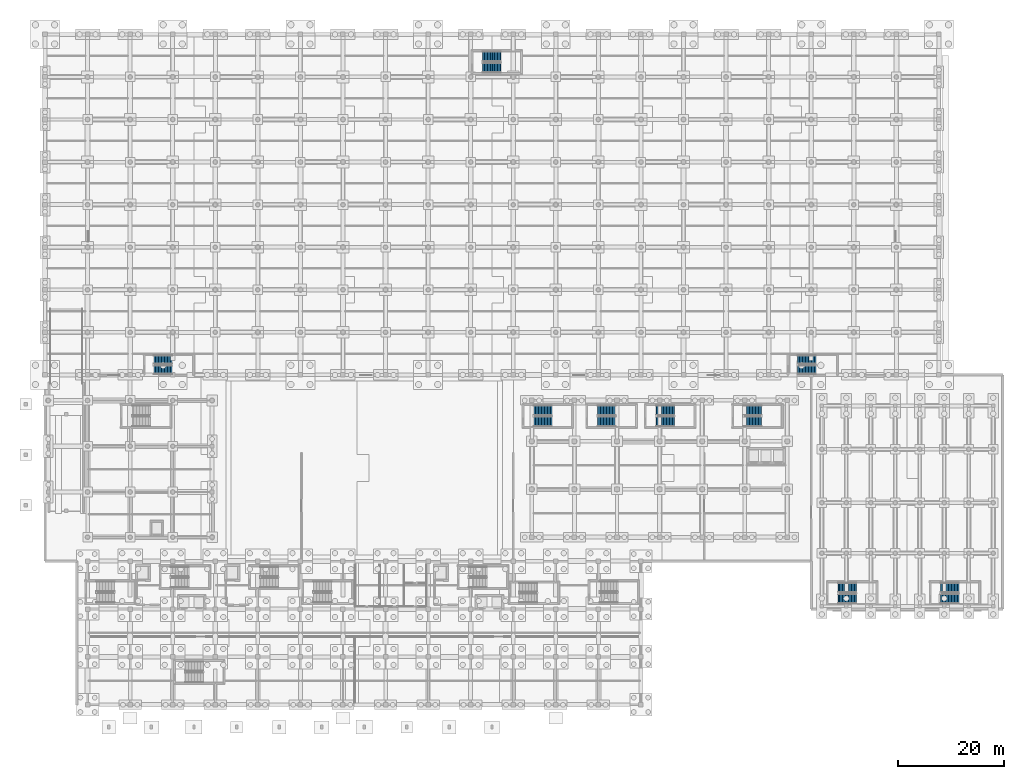
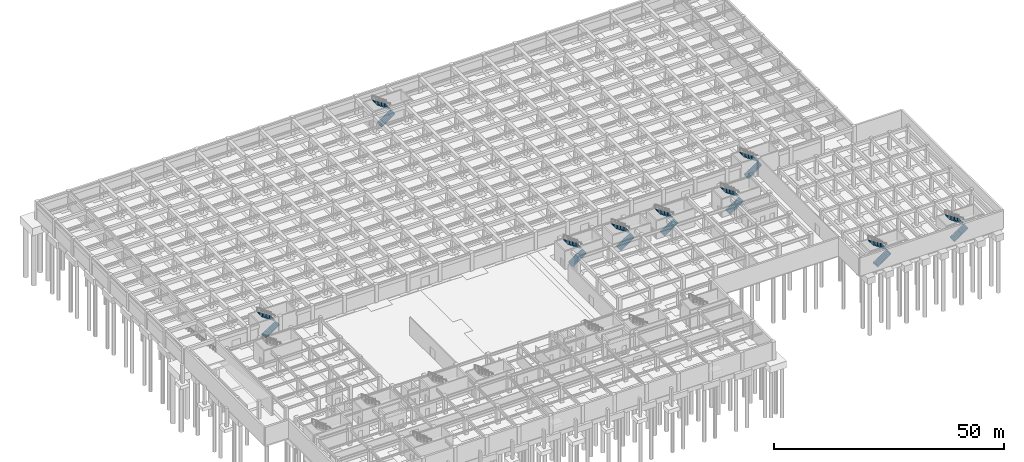
# One storey, part 38 of 48: 18 stair flights, 9 elements without a shape of their own.
"""IFC4 building model written with IfcOpenShell, lengths in metres."""

from ifc_helpers import new_model, si_unit, direction, frame, origin, place, context, subcontext, project, spatial, polyline, outline, extrude, material, type_object, element, aggregate, save


model = new_model("IFC4")

# Units and contexts
model_context = context("Model", 3, precision=1e-05, world=origin(), true_north=direction((0.0, 1.0)))
body_context = subcontext(model_context, "Body", "Model", "MODEL_VIEW")
ifc_project = project(units=[si_unit("LENGTHUNIT", "METRE"), si_unit("AREAUNIT", "SQUARE_METRE"), si_unit("VOLUMEUNIT", "CUBIC_METRE"), si_unit("PLANEANGLEUNIT", "RADIAN"), si_unit("MASSUNIT", "GRAM", prefix="KILO")], contexts=[model_context])

# Site, building, storey
site_placement = place(None, origin())
site = spatial("IfcSite", under=ifc_project, at=site_placement, CompositionType="ELEMENT")
building_placement = place(site_placement, origin())
building = spatial("IfcBuilding", under=site, at=building_placement, Name="Tlacozan Convention Centre", CompositionType="ELEMENT")
storey_placement = place(building_placement, frame((0.0, 0.0, -4.800048828125)))
storey = spatial("IfcBuildingStorey", under=building, at=storey_placement, Name="B01", CompositionType="ELEMENT", Elevation=-4.800048828125)

# Stair, stair flights
ifc_material = material(Name="Concrete C40/50", Category="concrete")
stair_type_1 = type_object("IfcStairType", Name="Protected Dogleg Stair W170 H48", PredefinedType="HALF_TURN_STAIR", material=ifc_material)
stair_1_placement = place(storey_placement, origin())
stair_1 = element("IfcStair", 1, at=stair_1_placement, inside=storey, type_object=stair_type_1, Name="B01 Exhibition West Stair", PredefinedType="HALF_TURN_STAIR")
stair_flight_type_1 = type_object("IfcStairFlightType", Name="Concrete Stair Flight W170 H48", PredefinedType="STRAIGHT", material=ifc_material)
stair_flight_1_placement = place(storey_placement, frame((20.5, 62.949951171875, 0.0), z_axis=(0.0, 0.0, 1.0), x_axis=(1.0, 0.0, 0.0)))
stair_flight_1 = element("IfcStairFlight", 2, at=stair_flight_1_placement, type_object=stair_flight_type_1, Name="ST-10 flight 1", NumberOfRisers=13, NumberOfTreads=12, PredefinedType="STRAIGHT", RiserHeight=0.184615385, TreadLength=0.28, context=body_context, shape_type="SweptSolid", body=[
    extrude(outline(polyline([(-0.044921875, -0.14990234375), (-0.044921875, 0.0), (0.0, 0.0), (0.0, 0.1845703125), (0.280029296875, 0.1845703125), (0.280029296875, 0.369140625), (0.56005859375, 0.369140625), (0.56005859375, 0.553955078125), (0.840087890625, 0.553955078125), (0.840087890625, 0.738525390625), (1.1201171875, 0.738525390625), (1.1201171875, 0.923095703125), (1.39990234375, 0.923095703125), (1.39990234375, 1.107666015625), (1.679931640625, 1.107666015625), (1.679931640625, 1.292236328125), (1.9599609375, 1.292236328125), (1.9599609375, 1.476806640625), (2.239990234375, 1.476806640625), (2.239990234375, 1.66162109375), (2.52001953125, 1.66162109375), (2.52001953125, 1.84619140625), (2.800048828125, 1.84619140625), (2.800048828125, 2.03076171875), (3.080078125, 2.03076171875), (3.080078125, 2.21533203125), (3.360107421875, 2.21533203125), (3.360107421875, 2.39990234375), (3.405029296875, 2.39990234375), (3.405029296875, 2.25), (3.360107421875, 2.035888671875), (0.272216796875, -0.14990234375), (-0.044921875, -0.14990234375)])), frame((0.0, 0.85009765625, 0.0), z_axis=(0.0, -1.0, 0.0), x_axis=(1.0, 0.0, 0.0)), (0.0, 0.0, 1.0), 1.699951171875),
])
stair_flight_2_placement = place(storey_placement, frame((23.860107421875, 64.85009765625, 2.400146484375), z_axis=(0.0, 0.0, 1.0), x_axis=(-1.0, 0.0, 0.0)))
stair_flight_2 = element("IfcStairFlight", 3, at=stair_flight_2_placement, type_object=stair_flight_type_1, Name="ST-10 flight 2", NumberOfRisers=13, NumberOfTreads=12, PredefinedType="STRAIGHT", RiserHeight=0.184615385, TreadLength=0.28, context=body_context, shape_type="SweptSolid", body=[
    extrude(outline(polyline([(-0.044921875, -0.14990234375), (-0.044921875, 0.0), (0.0, 0.0), (0.0, 0.1845703125), (0.280029296875, 0.1845703125), (0.280029296875, 0.369140625), (0.56005859375, 0.369140625), (0.56005859375, 0.553955078125), (0.840087890625, 0.553955078125), (0.840087890625, 0.738525390625), (1.1201171875, 0.738525390625), (1.1201171875, 0.923095703125), (1.39990234375, 0.923095703125), (1.39990234375, 1.107666015625), (1.679931640625, 1.107666015625), (1.679931640625, 1.292236328125), (1.9599609375, 1.292236328125), (1.9599609375, 1.476806640625), (2.239990234375, 1.476806640625), (2.239990234375, 1.66162109375), (2.52001953125, 1.66162109375), (2.52001953125, 1.84619140625), (2.800048828125, 1.84619140625), (2.800048828125, 2.03076171875), (3.080078125, 2.03076171875), (3.080078125, 2.21533203125), (3.360107421875, 2.21533203125), (3.360107421875, 2.39990234375), (3.405029296875, 2.39990234375), (3.405029296875, 2.25), (3.360107421875, 2.035888671875), (0.272216796875, -0.14990234375), (-0.044921875, -0.14990234375)])), frame((0.0, 0.85009765625, 0.0), z_axis=(0.0, -1.0, 0.0), x_axis=(1.0, 0.0, 0.0)), (0.0, 0.0, 1.0), 1.699951171875),
])
aggregate(stair_1, [stair_flight_1, stair_flight_2])

stair_2_placement = place(storey_placement, origin())
stair_2 = element("IfcStair", 4, at=stair_2_placement, inside=storey, type_object=stair_type_1, Name="B01 Exhibition East Stair", PredefinedType="HALF_TURN_STAIR")
stair_flight_3_placement = place(storey_placement, frame((141.5, 62.949951171875, 0.0), z_axis=(0.0, 0.0, 1.0), x_axis=(1.0, 0.0, 0.0)))
stair_flight_3 = element("IfcStairFlight", 5, at=stair_flight_3_placement, type_object=stair_flight_type_1, Name="ST-11 flight 1", NumberOfRisers=13, NumberOfTreads=12, PredefinedType="STRAIGHT", RiserHeight=0.184615385, TreadLength=0.28, context=body_context, shape_type="SweptSolid", body=[
    extrude(outline(polyline([(-0.044921875, -0.14990234375), (-0.044921875, 0.0), (0.0, 0.0), (0.0, 0.1845703125), (0.280029296875, 0.1845703125), (0.280029296875, 0.369140625), (0.56005859375, 0.369140625), (0.56005859375, 0.553955078125), (0.840087890625, 0.553955078125), (0.840087890625, 0.738525390625), (1.1201171875, 0.738525390625), (1.1201171875, 0.923095703125), (1.39990234375, 0.923095703125), (1.39990234375, 1.107666015625), (1.679931640625, 1.107666015625), (1.679931640625, 1.292236328125), (1.9599609375, 1.292236328125), (1.9599609375, 1.476806640625), (2.239990234375, 1.476806640625), (2.239990234375, 1.66162109375), (2.52001953125, 1.66162109375), (2.52001953125, 1.84619140625), (2.800048828125, 1.84619140625), (2.800048828125, 2.03076171875), (3.080078125, 2.03076171875), (3.080078125, 2.21533203125), (3.360107421875, 2.21533203125), (3.360107421875, 2.39990234375), (3.405029296875, 2.39990234375), (3.405029296875, 2.25), (3.360107421875, 2.035888671875), (0.272216796875, -0.14990234375), (-0.044921875, -0.14990234375)])), frame((0.0, 0.85009765625, 0.0), z_axis=(0.0, -1.0, 0.0), x_axis=(1.0, 0.0, 0.0)), (0.0, 0.0, 1.0), 1.699951171875),
])
stair_flight_4_placement = place(storey_placement, frame((144.860107421875, 64.85009765625, 2.400146484375), z_axis=(0.0, 0.0, 1.0), x_axis=(-1.0, 0.0, 0.0)))
stair_flight_4 = element("IfcStairFlight", 6, at=stair_flight_4_placement, type_object=stair_flight_type_1, Name="ST-11 flight 2", NumberOfRisers=13, NumberOfTreads=12, PredefinedType="STRAIGHT", RiserHeight=0.184615385, TreadLength=0.28, context=body_context, shape_type="SweptSolid", body=[
    extrude(outline(polyline([(-0.044921875, -0.14990234375), (-0.044921875, 0.0), (0.0, 0.0), (0.0, 0.1845703125), (0.280029296875, 0.1845703125), (0.280029296875, 0.369140625), (0.56005859375, 0.369140625), (0.56005859375, 0.553955078125), (0.840087890625, 0.553955078125), (0.840087890625, 0.738525390625), (1.1201171875, 0.738525390625), (1.1201171875, 0.923095703125), (1.39990234375, 0.923095703125), (1.39990234375, 1.107666015625), (1.679931640625, 1.107666015625), (1.679931640625, 1.292236328125), (1.9599609375, 1.292236328125), (1.9599609375, 1.476806640625), (2.239990234375, 1.476806640625), (2.239990234375, 1.66162109375), (2.52001953125, 1.66162109375), (2.52001953125, 1.84619140625), (2.800048828125, 1.84619140625), (2.800048828125, 2.03076171875), (3.080078125, 2.03076171875), (3.080078125, 2.21533203125), (3.360107421875, 2.21533203125), (3.360107421875, 2.39990234375), (3.405029296875, 2.39990234375), (3.405029296875, 2.25), (3.360107421875, 2.035888671875), (0.272216796875, -0.14990234375), (-0.044921875, -0.14990234375)])), frame((0.0, 0.85009765625, 0.0), z_axis=(0.0, -1.0, 0.0), x_axis=(1.0, 0.0, 0.0)), (0.0, 0.0, 1.0), 1.699951171875),
])
aggregate(stair_2, [stair_flight_3, stair_flight_4])

stair_type_2 = type_object("IfcStairType", Name="Protected Dogleg Stair W188 H48", PredefinedType="HALF_TURN_STAIR", material=ifc_material)
stair_3_placement = place(storey_placement, origin())
stair_3 = element("IfcStair", 7, at=stair_3_placement, inside=storey, type_object=stair_type_2, Name="B01 Ballroom and Plenary Hub Core Stair ST-03", PredefinedType="HALF_TURN_STAIR")
stair_flight_type_2 = type_object("IfcStairFlightType", Name="Concrete Stair Flight W188 H48", PredefinedType="STRAIGHT", material=ifc_material)
stair_flight_5_placement = place(storey_placement, frame((131.280029296875, 53.239990234375, 0.0), z_axis=(0.0, 0.0, 1.0), x_axis=(1.0, 0.0, 0.0)))
stair_flight_5 = element("IfcStairFlight", 8, at=stair_flight_5_placement, type_object=stair_flight_type_2, Name="ST-03 flight 1", NumberOfRisers=13, NumberOfTreads=12, PredefinedType="STRAIGHT", RiserHeight=0.184615385, TreadLength=0.28, context=body_context, shape_type="SweptSolid", body=[
    extrude(outline(polyline([(-0.044921875, -0.14990234375), (-0.044921875, 0.0), (0.0, 0.0), (0.0, 0.1845703125), (0.280029296875, 0.1845703125), (0.280029296875, 0.369140625), (0.56005859375, 0.369140625), (0.56005859375, 0.553955078125), (0.840087890625, 0.553955078125), (0.840087890625, 0.738525390625), (1.1201171875, 0.738525390625), (1.1201171875, 0.923095703125), (1.39990234375, 0.923095703125), (1.39990234375, 1.107666015625), (1.679931640625, 1.107666015625), (1.679931640625, 1.292236328125), (1.9599609375, 1.292236328125), (1.9599609375, 1.476806640625), (2.239990234375, 1.476806640625), (2.239990234375, 1.66162109375), (2.52001953125, 1.66162109375), (2.52001953125, 1.84619140625), (2.800048828125, 1.84619140625), (2.800048828125, 2.03076171875), (3.080078125, 2.03076171875), (3.080078125, 2.21533203125), (3.360107421875, 2.21533203125), (3.360107421875, 2.39990234375), (3.405029296875, 2.39990234375), (3.405029296875, 2.25), (3.360107421875, 2.035888671875), (0.272216796875, -0.14990234375), (-0.044921875, -0.14990234375)])), frame((0.0, 0.93994140625, 0.0), z_axis=(0.0, -1.0, 0.0), x_axis=(1.0, 0.0, 0.0)), (0.0, 0.0, 1.0), 1.8798828125),
])
stair_flight_6_placement = place(storey_placement, frame((134.639892578125, 55.320068359375, 2.400146484375), z_axis=(0.0, 0.0, 1.0), x_axis=(-1.0, 0.0, 0.0)))
stair_flight_6 = element("IfcStairFlight", 9, at=stair_flight_6_placement, type_object=stair_flight_type_2, Name="ST-03 flight 2", NumberOfRisers=13, NumberOfTreads=12, PredefinedType="STRAIGHT", RiserHeight=0.184615385, TreadLength=0.28, context=body_context, shape_type="SweptSolid", body=[
    extrude(outline(polyline([(-0.044921875, -0.14990234375), (-0.044921875, 0.0), (0.0, 0.0), (0.0, 0.1845703125), (0.280029296875, 0.1845703125), (0.280029296875, 0.369140625), (0.56005859375, 0.369140625), (0.56005859375, 0.553955078125), (0.840087890625, 0.553955078125), (0.840087890625, 0.738525390625), (1.1201171875, 0.738525390625), (1.1201171875, 0.923095703125), (1.39990234375, 0.923095703125), (1.39990234375, 1.107666015625), (1.679931640625, 1.107666015625), (1.679931640625, 1.292236328125), (1.9599609375, 1.292236328125), (1.9599609375, 1.476806640625), (2.239990234375, 1.476806640625), (2.239990234375, 1.66162109375), (2.52001953125, 1.66162109375), (2.52001953125, 1.84619140625), (2.800048828125, 1.84619140625), (2.800048828125, 2.03076171875), (3.080078125, 2.03076171875), (3.080078125, 2.21533203125), (3.360107421875, 2.21533203125), (3.360107421875, 2.39990234375), (3.405029296875, 2.39990234375), (3.405029296875, 2.25), (3.360107421875, 2.035888671875), (0.272216796875, -0.14990234375), (-0.044921875, -0.14990234375)])), frame((0.0, 0.93994140625, 0.0), z_axis=(0.0, -1.0, 0.0), x_axis=(1.0, 0.0, 0.0)), (0.0, 0.0, 1.0), 1.8798828125),
])
aggregate(stair_3, [stair_flight_5, stair_flight_6])

stair_4_placement = place(storey_placement, origin())
stair_4 = element("IfcStair", 10, at=stair_4_placement, inside=storey, type_object=stair_type_2, Name="B01 Ballroom West Stair", PredefinedType="HALF_TURN_STAIR")
stair_flight_7_placement = place(storey_placement, frame((91.8798828125, 53.239990234375, 0.0), z_axis=(0.0, 0.0, 1.0), x_axis=(1.0, 0.0, 0.0)))
stair_flight_7 = element("IfcStairFlight", 11, at=stair_flight_7_placement, type_object=stair_flight_type_2, Name="ST-06 flight 1", NumberOfRisers=13, NumberOfTreads=12, PredefinedType="STRAIGHT", RiserHeight=0.184615385, TreadLength=0.28, context=body_context, shape_type="SweptSolid", body=[
    extrude(outline(polyline([(-0.044921875, -0.14990234375), (-0.044921875, 0.0), (0.0, 0.0), (0.0, 0.1845703125), (0.280029296875, 0.1845703125), (0.280029296875, 0.369140625), (0.56005859375, 0.369140625), (0.56005859375, 0.553955078125), (0.840087890625, 0.553955078125), (0.840087890625, 0.738525390625), (1.1201171875, 0.738525390625), (1.1201171875, 0.923095703125), (1.39990234375, 0.923095703125), (1.39990234375, 1.107666015625), (1.679931640625, 1.107666015625), (1.679931640625, 1.292236328125), (1.9599609375, 1.292236328125), (1.9599609375, 1.476806640625), (2.239990234375, 1.476806640625), (2.239990234375, 1.66162109375), (2.52001953125, 1.66162109375), (2.52001953125, 1.84619140625), (2.800048828125, 1.84619140625), (2.800048828125, 2.03076171875), (3.080078125, 2.03076171875), (3.080078125, 2.21533203125), (3.360107421875, 2.21533203125), (3.360107421875, 2.39990234375), (3.405029296875, 2.39990234375), (3.405029296875, 2.25), (3.360107421875, 2.035888671875), (0.272216796875, -0.14990234375), (-0.044921875, -0.14990234375)])), frame((0.0, 0.93994140625, 0.0), z_axis=(0.0, -1.0, 0.0), x_axis=(1.0, 0.0, 0.0)), (0.0, 0.0, 1.0), 1.8798828125),
])
stair_flight_8_placement = place(storey_placement, frame((95.239990234375, 55.320068359375, 2.400146484375), z_axis=(0.0, 0.0, 1.0), x_axis=(-1.0, 0.0, 0.0)))
stair_flight_8 = element("IfcStairFlight", 12, at=stair_flight_8_placement, type_object=stair_flight_type_2, Name="ST-06 flight 2", NumberOfRisers=13, NumberOfTreads=12, PredefinedType="STRAIGHT", RiserHeight=0.184615385, TreadLength=0.28, context=body_context, shape_type="SweptSolid", body=[
    extrude(outline(polyline([(-0.044921875, -0.14990234375), (-0.044921875, 0.0), (0.0, 0.0), (0.0, 0.1845703125), (0.280029296875, 0.1845703125), (0.280029296875, 0.369140625), (0.56005859375, 0.369140625), (0.56005859375, 0.553955078125), (0.840087890625, 0.553955078125), (0.840087890625, 0.738525390625), (1.1201171875, 0.738525390625), (1.1201171875, 0.923095703125), (1.39990234375, 0.923095703125), (1.39990234375, 1.107666015625), (1.679931640625, 1.107666015625), (1.679931640625, 1.292236328125), (1.9599609375, 1.292236328125), (1.9599609375, 1.476806640625), (2.239990234375, 1.476806640625), (2.239990234375, 1.66162109375), (2.52001953125, 1.66162109375), (2.52001953125, 1.84619140625), (2.800048828125, 1.84619140625), (2.800048828125, 2.03076171875), (3.080078125, 2.03076171875), (3.080078125, 2.21533203125), (3.360107421875, 2.21533203125), (3.360107421875, 2.39990234375), (3.405029296875, 2.39990234375), (3.405029296875, 2.25), (3.360107421875, 2.035888671875), (0.272216796875, -0.14990234375), (-0.044921875, -0.14990234375)])), frame((0.0, 0.93994140625, 0.0), z_axis=(0.0, -1.0, 0.0), x_axis=(1.0, 0.0, 0.0)), (0.0, 0.0, 1.0), 1.8798828125),
])
aggregate(stair_4, [stair_flight_7, stair_flight_8])

stair_5_placement = place(storey_placement, origin())
stair_5 = element("IfcStair", 13, at=stair_5_placement, inside=storey, type_object=stair_type_2, Name="B01 Ballroom Courtyard Stair", PredefinedType="HALF_TURN_STAIR")
stair_flight_9_placement = place(storey_placement, frame((103.8798828125, 53.239990234375, 0.0), z_axis=(0.0, 0.0, 1.0), x_axis=(1.0, 0.0, 0.0)))
stair_flight_9 = element("IfcStairFlight", 14, at=stair_flight_9_placement, type_object=stair_flight_type_2, Name="ST-17 flight 1", NumberOfRisers=13, NumberOfTreads=12, PredefinedType="STRAIGHT", RiserHeight=0.184615385, TreadLength=0.28, context=body_context, shape_type="SweptSolid", body=[
    extrude(outline(polyline([(-0.044921875, -0.14990234375), (-0.044921875, 0.0), (0.0, 0.0), (0.0, 0.1845703125), (0.280029296875, 0.1845703125), (0.280029296875, 0.369140625), (0.56005859375, 0.369140625), (0.56005859375, 0.553955078125), (0.840087890625, 0.553955078125), (0.840087890625, 0.738525390625), (1.1201171875, 0.738525390625), (1.1201171875, 0.923095703125), (1.39990234375, 0.923095703125), (1.39990234375, 1.107666015625), (1.679931640625, 1.107666015625), (1.679931640625, 1.292236328125), (1.9599609375, 1.292236328125), (1.9599609375, 1.476806640625), (2.239990234375, 1.476806640625), (2.239990234375, 1.66162109375), (2.52001953125, 1.66162109375), (2.52001953125, 1.84619140625), (2.800048828125, 1.84619140625), (2.800048828125, 2.03076171875), (3.080078125, 2.03076171875), (3.080078125, 2.21533203125), (3.360107421875, 2.21533203125), (3.360107421875, 2.39990234375), (3.405029296875, 2.39990234375), (3.405029296875, 2.25), (3.360107421875, 2.035888671875), (0.272216796875, -0.14990234375), (-0.044921875, -0.14990234375)])), frame((0.0, 0.93994140625, 0.0), z_axis=(0.0, -1.0, 0.0), x_axis=(1.0, 0.0, 0.0)), (0.0, 0.0, 1.0), 1.8798828125),
])
stair_flight_10_placement = place(storey_placement, frame((107.239990234375, 55.320068359375, 2.400146484375), z_axis=(0.0, 0.0, 1.0), x_axis=(-1.0, 0.0, 0.0)))
stair_flight_10 = element("IfcStairFlight", 15, at=stair_flight_10_placement, type_object=stair_flight_type_2, Name="ST-17 flight 2", NumberOfRisers=13, NumberOfTreads=12, PredefinedType="STRAIGHT", RiserHeight=0.184615385, TreadLength=0.28, context=body_context, shape_type="SweptSolid", body=[
    extrude(outline(polyline([(-0.044921875, -0.14990234375), (-0.044921875, 0.0), (0.0, 0.0), (0.0, 0.1845703125), (0.280029296875, 0.1845703125), (0.280029296875, 0.369140625), (0.56005859375, 0.369140625), (0.56005859375, 0.553955078125), (0.840087890625, 0.553955078125), (0.840087890625, 0.738525390625), (1.1201171875, 0.738525390625), (1.1201171875, 0.923095703125), (1.39990234375, 0.923095703125), (1.39990234375, 1.107666015625), (1.679931640625, 1.107666015625), (1.679931640625, 1.292236328125), (1.9599609375, 1.292236328125), (1.9599609375, 1.476806640625), (2.239990234375, 1.476806640625), (2.239990234375, 1.66162109375), (2.52001953125, 1.66162109375), (2.52001953125, 1.84619140625), (2.800048828125, 1.84619140625), (2.800048828125, 2.03076171875), (3.080078125, 2.03076171875), (3.080078125, 2.21533203125), (3.360107421875, 2.21533203125), (3.360107421875, 2.39990234375), (3.405029296875, 2.39990234375), (3.405029296875, 2.25), (3.360107421875, 2.035888671875), (0.272216796875, -0.14990234375), (-0.044921875, -0.14990234375)])), frame((0.0, 0.93994140625, 0.0), z_axis=(0.0, -1.0, 0.0), x_axis=(1.0, 0.0, 0.0)), (0.0, 0.0, 1.0), 1.8798828125),
])
aggregate(stair_5, [stair_flight_9, stair_flight_10])

stair_6_placement = place(storey_placement, origin())
stair_6 = element("IfcStair", 16, at=stair_6_placement, inside=storey, type_object=stair_type_2, Name="B01 Ballroom East Terrace Stair", PredefinedType="HALF_TURN_STAIR")
stair_flight_11_placement = place(storey_placement, frame((114.8798828125, 53.239990234375, 0.0), z_axis=(0.0, 0.0, 1.0), x_axis=(1.0, 0.0, 0.0)))
stair_flight_11 = element("IfcStairFlight", 17, at=stair_flight_11_placement, type_object=stair_flight_type_2, Name="ST-18 flight 1", NumberOfRisers=13, NumberOfTreads=12, PredefinedType="STRAIGHT", RiserHeight=0.184615385, TreadLength=0.28, context=body_context, shape_type="SweptSolid", body=[
    extrude(outline(polyline([(-0.044921875, -0.14990234375), (-0.044921875, 0.0), (0.0, 0.0), (0.0, 0.1845703125), (0.280029296875, 0.1845703125), (0.280029296875, 0.369140625), (0.56005859375, 0.369140625), (0.56005859375, 0.553955078125), (0.840087890625, 0.553955078125), (0.840087890625, 0.738525390625), (1.1201171875, 0.738525390625), (1.1201171875, 0.923095703125), (1.39990234375, 0.923095703125), (1.39990234375, 1.107666015625), (1.679931640625, 1.107666015625), (1.679931640625, 1.292236328125), (1.9599609375, 1.292236328125), (1.9599609375, 1.476806640625), (2.239990234375, 1.476806640625), (2.239990234375, 1.66162109375), (2.52001953125, 1.66162109375), (2.52001953125, 1.84619140625), (2.800048828125, 1.84619140625), (2.800048828125, 2.03076171875), (3.080078125, 2.03076171875), (3.080078125, 2.21533203125), (3.360107421875, 2.21533203125), (3.360107421875, 2.39990234375), (3.405029296875, 2.39990234375), (3.405029296875, 2.25), (3.360107421875, 2.035888671875), (0.272216796875, -0.14990234375), (-0.044921875, -0.14990234375)])), frame((0.0, 0.93994140625, 0.0), z_axis=(0.0, -1.0, 0.0), x_axis=(1.0, 0.0, 0.0)), (0.0, 0.0, 1.0), 1.8798828125),
])
stair_flight_12_placement = place(storey_placement, frame((118.239990234375, 55.320068359375, 2.400146484375), z_axis=(0.0, 0.0, 1.0), x_axis=(-1.0, 0.0, 0.0)))
stair_flight_12 = element("IfcStairFlight", 18, at=stair_flight_12_placement, type_object=stair_flight_type_2, Name="ST-18 flight 2", NumberOfRisers=13, NumberOfTreads=12, PredefinedType="STRAIGHT", RiserHeight=0.184615385, TreadLength=0.28, context=body_context, shape_type="SweptSolid", body=[
    extrude(outline(polyline([(-0.044921875, -0.14990234375), (-0.044921875, 0.0), (0.0, 0.0), (0.0, 0.1845703125), (0.280029296875, 0.1845703125), (0.280029296875, 0.369140625), (0.56005859375, 0.369140625), (0.56005859375, 0.553955078125), (0.840087890625, 0.553955078125), (0.840087890625, 0.738525390625), (1.1201171875, 0.738525390625), (1.1201171875, 0.923095703125), (1.39990234375, 0.923095703125), (1.39990234375, 1.107666015625), (1.679931640625, 1.107666015625), (1.679931640625, 1.292236328125), (1.9599609375, 1.292236328125), (1.9599609375, 1.476806640625), (2.239990234375, 1.476806640625), (2.239990234375, 1.66162109375), (2.52001953125, 1.66162109375), (2.52001953125, 1.84619140625), (2.800048828125, 1.84619140625), (2.800048828125, 2.03076171875), (3.080078125, 2.03076171875), (3.080078125, 2.21533203125), (3.360107421875, 2.21533203125), (3.360107421875, 2.39990234375), (3.405029296875, 2.39990234375), (3.405029296875, 2.25), (3.360107421875, 2.035888671875), (0.272216796875, -0.14990234375), (-0.044921875, -0.14990234375)])), frame((0.0, 0.93994140625, 0.0), z_axis=(0.0, -1.0, 0.0), x_axis=(1.0, 0.0, 0.0)), (0.0, 0.0, 1.0), 1.8798828125),
])
aggregate(stair_6, [stair_flight_11, stair_flight_12])

stair_7_placement = place(storey_placement, origin())
stair_7 = element("IfcStair", 19, at=stair_7_placement, inside=storey, type_object=stair_type_2, Name="B01 Plenary South-East Stair", PredefinedType="HALF_TURN_STAIR")
stair_flight_13_placement = place(storey_placement, frame((168.3798828125, 19.93994140625, 0.0), z_axis=(0.0, 0.0, 1.0), x_axis=(1.0, 0.0, 0.0)))
stair_flight_13 = element("IfcStairFlight", 20, at=stair_flight_13_placement, type_object=stair_flight_type_2, Name="ST-07 flight 1", NumberOfRisers=13, NumberOfTreads=12, PredefinedType="STRAIGHT", RiserHeight=0.184615385, TreadLength=0.28, context=body_context, shape_type="SweptSolid", body=[
    extrude(outline(polyline([(-0.044921875, -0.14990234375), (-0.044921875, 0.0), (0.0, 0.0), (0.0, 0.1845703125), (0.280029296875, 0.1845703125), (0.280029296875, 0.369140625), (0.56005859375, 0.369140625), (0.56005859375, 0.553955078125), (0.840087890625, 0.553955078125), (0.840087890625, 0.738525390625), (1.1201171875, 0.738525390625), (1.1201171875, 0.923095703125), (1.39990234375, 0.923095703125), (1.39990234375, 1.107666015625), (1.679931640625, 1.107666015625), (1.679931640625, 1.292236328125), (1.9599609375, 1.292236328125), (1.9599609375, 1.476806640625), (2.239990234375, 1.476806640625), (2.239990234375, 1.66162109375), (2.52001953125, 1.66162109375), (2.52001953125, 1.84619140625), (2.800048828125, 1.84619140625), (2.800048828125, 2.03076171875), (3.080078125, 2.03076171875), (3.080078125, 2.21533203125), (3.360107421875, 2.21533203125), (3.360107421875, 2.39990234375), (3.405029296875, 2.39990234375), (3.405029296875, 2.25), (3.360107421875, 2.035888671875), (0.272216796875, -0.14990234375), (-0.044921875, -0.14990234375)])), frame((0.0, 0.93994140625, 0.0), z_axis=(0.0, -1.0, 0.0), x_axis=(1.0, 0.0, 0.0)), (0.0, 0.0, 1.0), 1.8798828125),
])
stair_flight_14_placement = place(storey_placement, frame((171.739990234375, 22.02001953125, 2.400146484375), z_axis=(0.0, 0.0, 1.0), x_axis=(-1.0, 0.0, 0.0)))
stair_flight_14 = element("IfcStairFlight", 21, at=stair_flight_14_placement, type_object=stair_flight_type_2, Name="ST-07 flight 2", NumberOfRisers=13, NumberOfTreads=12, PredefinedType="STRAIGHT", RiserHeight=0.184615385, TreadLength=0.28, context=body_context, shape_type="SweptSolid", body=[
    extrude(outline(polyline([(-0.044921875, -0.14990234375), (-0.044921875, 0.0), (0.0, 0.0), (0.0, 0.1845703125), (0.280029296875, 0.1845703125), (0.280029296875, 0.369140625), (0.56005859375, 0.369140625), (0.56005859375, 0.553955078125), (0.840087890625, 0.553955078125), (0.840087890625, 0.738525390625), (1.1201171875, 0.738525390625), (1.1201171875, 0.923095703125), (1.39990234375, 0.923095703125), (1.39990234375, 1.107666015625), (1.679931640625, 1.107666015625), (1.679931640625, 1.292236328125), (1.9599609375, 1.292236328125), (1.9599609375, 1.476806640625), (2.239990234375, 1.476806640625), (2.239990234375, 1.66162109375), (2.52001953125, 1.66162109375), (2.52001953125, 1.84619140625), (2.800048828125, 1.84619140625), (2.800048828125, 2.03076171875), (3.080078125, 2.03076171875), (3.080078125, 2.21533203125), (3.360107421875, 2.21533203125), (3.360107421875, 2.39990234375), (3.405029296875, 2.39990234375), (3.405029296875, 2.25), (3.360107421875, 2.035888671875), (0.272216796875, -0.14990234375), (-0.044921875, -0.14990234375)])), frame((0.0, 0.93994140625, 0.0), z_axis=(0.0, -1.0, 0.0), x_axis=(1.0, 0.0, 0.0)), (0.0, 0.0, 1.0), 1.8798828125),
])
aggregate(stair_7, [stair_flight_13, stair_flight_14])

stair_8_placement = place(storey_placement, origin())
stair_8 = element("IfcStair", 22, at=stair_8_placement, inside=storey, type_object=stair_type_2, Name="B01 Plenary South-West Stair", PredefinedType="HALF_TURN_STAIR")
stair_flight_15_placement = place(storey_placement, frame((149.080078125, 19.93994140625, 0.0), z_axis=(0.0, 0.0, 1.0), x_axis=(1.0, 0.0, 0.0)))
stair_flight_15 = element("IfcStairFlight", 23, at=stair_flight_15_placement, type_object=stair_flight_type_2, Name="ST-08 flight 1", NumberOfRisers=13, NumberOfTreads=12, PredefinedType="STRAIGHT", RiserHeight=0.184615385, TreadLength=0.28, context=body_context, shape_type="SweptSolid", body=[
    extrude(outline(polyline([(-0.044921875, -0.14990234375), (-0.044921875, 0.0), (0.0, 0.0), (0.0, 0.1845703125), (0.280029296875, 0.1845703125), (0.280029296875, 0.369140625), (0.56005859375, 0.369140625), (0.56005859375, 0.553955078125), (0.840087890625, 0.553955078125), (0.840087890625, 0.738525390625), (1.1201171875, 0.738525390625), (1.1201171875, 0.923095703125), (1.39990234375, 0.923095703125), (1.39990234375, 1.107666015625), (1.679931640625, 1.107666015625), (1.679931640625, 1.292236328125), (1.9599609375, 1.292236328125), (1.9599609375, 1.476806640625), (2.239990234375, 1.476806640625), (2.239990234375, 1.66162109375), (2.52001953125, 1.66162109375), (2.52001953125, 1.84619140625), (2.800048828125, 1.84619140625), (2.800048828125, 2.03076171875), (3.080078125, 2.03076171875), (3.080078125, 2.21533203125), (3.360107421875, 2.21533203125), (3.360107421875, 2.39990234375), (3.405029296875, 2.39990234375), (3.405029296875, 2.25), (3.360107421875, 2.035888671875), (0.272216796875, -0.14990234375), (-0.044921875, -0.14990234375)])), frame((0.0, 0.93994140625, 0.0), z_axis=(0.0, -1.0, 0.0), x_axis=(1.0, 0.0, 0.0)), (0.0, 0.0, 1.0), 1.8798828125),
])
stair_flight_16_placement = place(storey_placement, frame((152.43994140625, 22.02001953125, 2.400146484375), z_axis=(0.0, 0.0, 1.0), x_axis=(-1.0, 0.0, 0.0)))
stair_flight_16 = element("IfcStairFlight", 24, at=stair_flight_16_placement, type_object=stair_flight_type_2, Name="ST-08 flight 2", NumberOfRisers=13, NumberOfTreads=12, PredefinedType="STRAIGHT", RiserHeight=0.184615385, TreadLength=0.28, context=body_context, shape_type="SweptSolid", body=[
    extrude(outline(polyline([(-0.044921875, -0.14990234375), (-0.044921875, 0.0), (0.0, 0.0), (0.0, 0.1845703125), (0.280029296875, 0.1845703125), (0.280029296875, 0.369140625), (0.56005859375, 0.369140625), (0.56005859375, 0.553955078125), (0.840087890625, 0.553955078125), (0.840087890625, 0.738525390625), (1.1201171875, 0.738525390625), (1.1201171875, 0.923095703125), (1.39990234375, 0.923095703125), (1.39990234375, 1.107666015625), (1.679931640625, 1.107666015625), (1.679931640625, 1.292236328125), (1.9599609375, 1.292236328125), (1.9599609375, 1.476806640625), (2.239990234375, 1.476806640625), (2.239990234375, 1.66162109375), (2.52001953125, 1.66162109375), (2.52001953125, 1.84619140625), (2.800048828125, 1.84619140625), (2.800048828125, 2.03076171875), (3.080078125, 2.03076171875), (3.080078125, 2.21533203125), (3.360107421875, 2.21533203125), (3.360107421875, 2.39990234375), (3.405029296875, 2.39990234375), (3.405029296875, 2.25), (3.360107421875, 2.035888671875), (0.272216796875, -0.14990234375), (-0.044921875, -0.14990234375)])), frame((0.0, 0.93994140625, 0.0), z_axis=(0.0, -1.0, 0.0), x_axis=(1.0, 0.0, 0.0)), (0.0, 0.0, 1.0), 1.8798828125),
])
aggregate(stair_8, [stair_flight_15, stair_flight_16])

stair_9_placement = place(storey_placement, origin())
stair_9 = element("IfcStair", 25, at=stair_9_placement, inside=storey, type_object=stair_type_2, Name="B01 North Hall Basement Stair", PredefinedType="HALF_TURN_STAIR")
stair_flight_17_placement = place(storey_placement, frame((82.280029296875, 119.739990234375, 0.0), z_axis=(0.0, 0.0, 1.0), x_axis=(1.0, 0.0, 0.0)))
stair_flight_17 = element("IfcStairFlight", 26, at=stair_flight_17_placement, type_object=stair_flight_type_2, Name="ST-12 flight 1", NumberOfRisers=13, NumberOfTreads=12, PredefinedType="STRAIGHT", RiserHeight=0.184615385, TreadLength=0.28, context=body_context, shape_type="SweptSolid", body=[
    extrude(outline(polyline([(-0.044921875, -0.14990234375), (-0.044921875, 0.0), (0.0, 0.0), (0.0, 0.1845703125), (0.280029296875, 0.1845703125), (0.280029296875, 0.369140625), (0.56005859375, 0.369140625), (0.56005859375, 0.553955078125), (0.840087890625, 0.553955078125), (0.840087890625, 0.738525390625), (1.1201171875, 0.738525390625), (1.1201171875, 0.923095703125), (1.39990234375, 0.923095703125), (1.39990234375, 1.107666015625), (1.679931640625, 1.107666015625), (1.679931640625, 1.292236328125), (1.9599609375, 1.292236328125), (1.9599609375, 1.476806640625), (2.239990234375, 1.476806640625), (2.239990234375, 1.66162109375), (2.52001953125, 1.66162109375), (2.52001953125, 1.84619140625), (2.800048828125, 1.84619140625), (2.800048828125, 2.03076171875), (3.080078125, 2.03076171875), (3.080078125, 2.21533203125), (3.360107421875, 2.21533203125), (3.360107421875, 2.39990234375), (3.405029296875, 2.39990234375), (3.405029296875, 2.25), (3.360107421875, 2.035888671875), (0.272216796875, -0.14990234375), (-0.044921875, -0.14990234375)])), frame((0.0, 0.93994140625, 0.0), z_axis=(0.0, -1.0, 0.0), x_axis=(1.0, 0.0, 0.0)), (0.0, 0.0, 1.0), 1.8798828125),
])
stair_flight_18_placement = place(storey_placement, frame((85.639892578125, 121.820068359375, 2.400146484375), z_axis=(0.0, 0.0, 1.0), x_axis=(-1.0, 0.0, 0.0)))
stair_flight_18 = element("IfcStairFlight", 27, at=stair_flight_18_placement, type_object=stair_flight_type_2, Name="ST-12 flight 2", NumberOfRisers=13, NumberOfTreads=12, PredefinedType="STRAIGHT", RiserHeight=0.184615385, TreadLength=0.28, context=body_context, shape_type="SweptSolid", body=[
    extrude(outline(polyline([(-0.044921875, -0.14990234375), (-0.044921875, 0.0), (0.0, 0.0), (0.0, 0.1845703125), (0.280029296875, 0.1845703125), (0.280029296875, 0.369140625), (0.56005859375, 0.369140625), (0.56005859375, 0.553955078125), (0.840087890625, 0.553955078125), (0.840087890625, 0.738525390625), (1.1201171875, 0.738525390625), (1.1201171875, 0.923095703125), (1.39990234375, 0.923095703125), (1.39990234375, 1.107666015625), (1.679931640625, 1.107666015625), (1.679931640625, 1.292236328125), (1.9599609375, 1.292236328125), (1.9599609375, 1.476806640625), (2.239990234375, 1.476806640625), (2.239990234375, 1.66162109375), (2.52001953125, 1.66162109375), (2.52001953125, 1.84619140625), (2.800048828125, 1.84619140625), (2.800048828125, 2.03076171875), (3.080078125, 2.03076171875), (3.080078125, 2.21533203125), (3.360107421875, 2.21533203125), (3.360107421875, 2.39990234375), (3.405029296875, 2.39990234375), (3.405029296875, 2.25), (3.360107421875, 2.035888671875), (0.272216796875, -0.14990234375), (-0.044921875, -0.14990234375)])), frame((0.0, 0.93994140625, 0.0), z_axis=(0.0, -1.0, 0.0), x_axis=(1.0, 0.0, 0.0)), (0.0, 0.0, 1.0), 1.8798828125),
])
aggregate(stair_9, [stair_flight_17, stair_flight_18])

save(model, "model.ifc")
